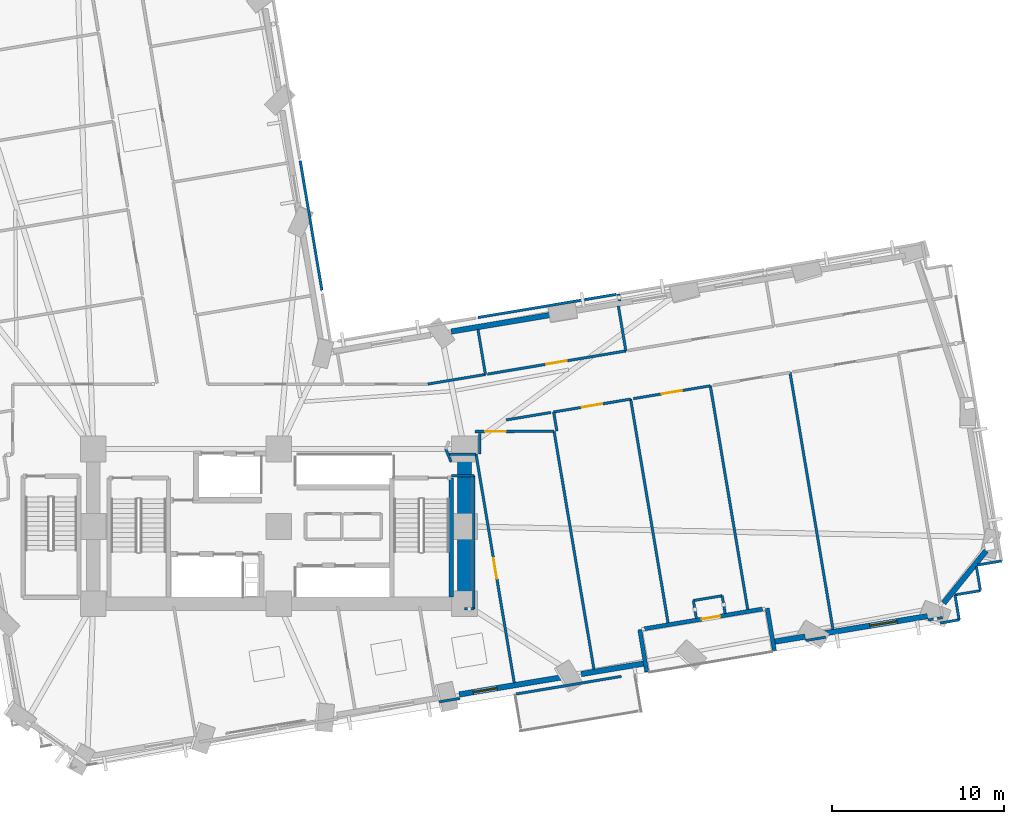
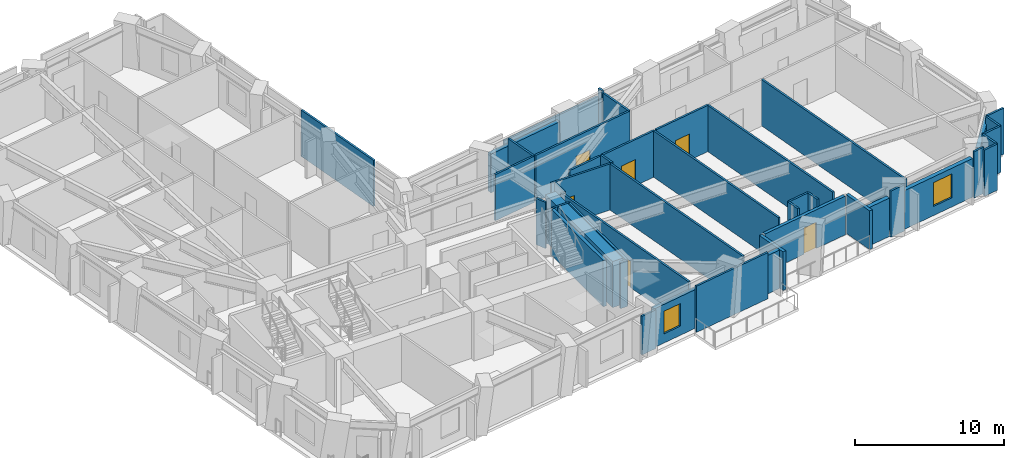
# One storey, part 10 of 16: 46 walls, 6 doors, 2 windows, 8 openings.
"""IFC4 building model written with IfcOpenShell, lengths in metres."""

import ifcopenshell
import ifcopenshell.guid

model = None  # the IFC model being written
_history = None  # IfcOwnerHistory: only IFC2X3 demands one
_inside = {}  # id of a spatial element -> (the spatial element, [elements in it])
_under = {}  # id of a project, library or spatial element -> (it, [spatial elements below it])
_declared = {}  # id of a project -> (the project, [libraries it declares])
_typed = {}  # id of a type object -> (the type object, [elements of that type])
_made_of = {}  # id of a material, layer set ... -> (it, [elements and type objects made of it])


def new_model(schema):
    """Start an empty IFC model of exactly this schema.

    Asked for "IFC4X3", IfcOpenShell would pick the latest addendum, in which some entities
    have other attributes; the version numbers below select the first issue.
    IFC2X3 requires an IfcOwnerHistory on every rooted entity: one is made here for all.
    """
    global model, _history
    if schema == "IFC4X3":
        model = ifcopenshell.file(schema_version=(4, 3, 0, 0))
    else:
        model = ifcopenshell.file(schema=schema)
    _inside.clear()
    _under.clear()
    _declared.clear()
    _typed.clear()
    _made_of.clear()
    _history = None
    if model.schema == "IFC2X3":
        org = make("IfcOrganization", Name="unknown")
        user = make(
            "IfcPersonAndOrganization",
            ThePerson=make("IfcPerson", FamilyName="unknown"),
            TheOrganization=org,
        )
        app = make(
            "IfcApplication",
            ApplicationDeveloper=org,
            Version="unknown",
            ApplicationFullName="unknown",
            ApplicationIdentifier="unknown",
        )
        _history = make(
            "IfcOwnerHistory",
            OwningUser=user,
            OwningApplication=app,
            ChangeAction="ADDED",
            CreationDate=0,
        )
    return model


def make(cls, **values):
    """One entity of the class cls with the attributes given. An attribute that is None is left unset."""
    return model.create_entity(
        cls, **{name: value for name, value in values.items() if value is not None}
    )


def rooted(cls, **values):
    """An entity with a GlobalId (a new one), such as an element, a storey or a relation."""
    return make(cls, GlobalId=ifcopenshell.guid.new(), OwnerHistory=_history, **values)


def si_unit(unit_type, name, prefix=None):
    """IfcSIUnit, for example si_unit("LENGTHUNIT", "METRE", prefix="MILLI")."""
    return make("IfcSIUnit", UnitType=unit_type, Prefix=prefix, Name=name)


def assignment(units):
    """IfcUnitAssignment: the units of a project."""
    return None if units is None else make("IfcUnitAssignment", Units=units)


def point(xyz):
    """IfcCartesianPoint."""
    return None if xyz is None else make("IfcCartesianPoint", Coordinates=xyz)


def direction(xyz):
    """IfcDirection."""
    return None if xyz is None else make("IfcDirection", DirectionRatios=xyz)


def frame(location, z_axis=None, x_axis=None):
    """IfcAxis2Placement3D, a coordinate frame: its origin and axes. An axis left out is left unset."""
    return make(
        "IfcAxis2Placement3D",
        Location=point(location),
        Axis=direction(z_axis),
        RefDirection=direction(x_axis),
    )


def frame_2d(location, x_axis=None):
    """IfcAxis2Placement2D, a coordinate frame in the plane: its origin and x axis."""
    return make(
        "IfcAxis2Placement2D", Location=point(location), RefDirection=direction(x_axis)
    )


def origin():
    """The frame at (0, 0, 0) with its axes left unset."""
    return frame((0.0, 0.0, 0.0))


def place(relative_to, where):
    """IfcLocalPlacement: puts the frame where relative to a parent placement (None: the world)."""
    return make(
        "IfcLocalPlacement", PlacementRelTo=relative_to, RelativePlacement=where
    )


def context(
    kind, dimensions, precision=None, world=None, true_north=None, identifier=None
):
    """IfcGeometricRepresentationContext, for example the 3D "Model" context."""
    return make(
        "IfcGeometricRepresentationContext",
        ContextIdentifier=identifier,
        ContextType=kind,
        CoordinateSpaceDimension=dimensions,
        Precision=precision,
        WorldCoordinateSystem=world,
        TrueNorth=true_north,
    )


def subcontext(parent, identifier, kind, view, scale=None):
    """IfcGeometricRepresentationSubContext, for example "Body" below "Model"."""
    return make(
        "IfcGeometricRepresentationSubContext",
        ContextIdentifier=identifier,
        ContextType=kind,
        ParentContext=parent,
        TargetScale=scale,
        TargetView=view,
    )


def project(units=None, contexts=None):
    """IfcProject with its units and contexts."""
    return rooted(
        "IfcProject",
        Name="project",
        RepresentationContexts=contexts,
        UnitsInContext=assignment(units),
    )


def spatial(cls, under=None, at=None, **own):
    """A site, building, storey or space (cls), placed at a placement, below another one or the project."""
    s = rooted(cls, ObjectPlacement=at, **own)
    if under is not None:
        _under.setdefault(under.id(), (under, []))[1].append(s)
    return s


def profile(cls, at=None, kind="AREA", **sizes):
    """A parametric profile (cls). Its sizes go by their IFC names, for example OverallWidth=200.0."""
    return make(cls, ProfileType=kind, Position=at, **sizes)


def rectangle(**sizes):
    """IfcRectangleProfileDef."""
    return profile("IfcRectangleProfileDef", **sizes)


def extrude(swept, where, along, depth):
    """IfcExtrudedAreaSolid: the profile swept, set in the frame where, extruded along a direction by depth."""
    return make(
        "IfcExtrudedAreaSolid",
        SweptArea=swept,
        Position=where,
        ExtrudedDirection=direction(along),
        Depth=depth,
    )


def shape(context_of_items, identifier, shape_type, items):
    """IfcShapeRepresentation: the items that make up one representation, for example the "Body"."""
    return make(
        "IfcShapeRepresentation",
        ContextOfItems=context_of_items,
        RepresentationIdentifier=identifier,
        RepresentationType=shape_type,
        Items=items,
    )


def material(Name=None, Category=None):
    """IfcMaterial."""
    return make("IfcMaterial", Name=Name, Category=Category)


def layer(
    of_material, thickness, ventilated=None, Name=None, Category=None, Priority=None
):
    """IfcMaterialLayer: one layer of a wall or slab, of a material (None: an air gap)."""
    return make(
        "IfcMaterialLayer",
        Material=of_material,
        LayerThickness=thickness,
        IsVentilated=ventilated,
        Name=Name,
        Category=Category,
        Priority=Priority,
    )


def layer_set(layers, Name=None):
    """IfcMaterialLayerSet."""
    return make("IfcMaterialLayerSet", MaterialLayers=layers, LayerSetName=Name)


def made_of(thing, what):
    """Note that an element or type object is made of a material, layer set ...; save() writes the relation."""
    if what is not None:
        _made_of.setdefault(what.id(), (what, []))[1].append(thing)
    return thing


def type_object(cls, material=None, **own):
    """A type object (cls), such as IfcWallType, which elements share."""
    return made_of(rooted(cls, **own), material)


def element(
    cls,
    number,
    at=None,
    inside=None,
    cuts=None,
    type_object=None,
    material=None,
    context=None,
    identifier="Body",
    shape_type=None,
    held_by="IfcProductDefinitionShape",
    body=None,
    shapes=None,
    **own,
):
    """One element of the class cls, such as IfcWall. Its Tag is "e" and its number.

    at: its placement. inside: the storey or other place that contains it. cuts: it is an
    opening in that element (IfcRelVoidsElement). A single representation is given by context,
    identifier, shape_type and body (its items); several are given by shapes. held_by: the class
    of the entity that holds the representations. save() writes the other relations.
    """
    e = rooted(cls, Tag="e%d" % number, ObjectPlacement=at, **own)
    if body is not None:
        shapes = [shape(context, identifier, shape_type, body)]
    if shapes is not None:
        e.Representation = make(held_by, Representations=shapes)
    if inside is not None:
        _inside.setdefault(inside.id(), (inside, []))[1].append(e)
    if cuts is not None:
        rooted(
            "IfcRelVoidsElement", RelatingBuildingElement=cuts, RelatedOpeningElement=e
        )
    if type_object is not None:
        _typed.setdefault(type_object.id(), (type_object, []))[1].append(e)
    return made_of(e, material)


def fill(opening, filler):
    """IfcRelFillsElement: the door or window that sits in an opening."""
    return rooted(
        "IfcRelFillsElement",
        RelatingOpeningElement=opening,
        RelatedBuildingElement=filler,
    )


def aggregate(whole, parts):
    """IfcRelAggregates: a whole, such as a stair, and the parts it consists of."""
    return rooted("IfcRelAggregates", RelatingObject=whole, RelatedObjects=parts)


def save(model, path):
    """Write the relations noted so far, then the file.

    IfcRelAggregates (storeys below a building ...), IfcRelContainedInSpatialStructure (elements
    in a storey), IfcRelDefinesByType, IfcRelAssociatesMaterial and IfcRelDeclares: one each for
    every whole, place, type object, material and project.
    """
    for whole, parts in _under.values():
        aggregate(whole, parts)
    for where, things in _inside.values():
        rooted(
            "IfcRelContainedInSpatialStructure",
            RelatedElements=things,
            RelatingStructure=where,
        )
    for kind, things in _typed.values():
        rooted("IfcRelDefinesByType", RelatedObjects=things, RelatingType=kind)
    for what, things in _made_of.values():
        rooted("IfcRelAssociatesMaterial", RelatedObjects=things, RelatingMaterial=what)
    for by, libraries in _declared.values():
        rooted("IfcRelDeclares", RelatingContext=by, RelatedDefinitions=libraries)
    model.write(path)


model = new_model("IFC4")

# Units and contexts
model_context = context("Model", 3, precision=1e-05, world=origin(), true_north=direction((0.0, 1.0)))
body_context = subcontext(model_context, "Body", "Model", "MODEL_VIEW")
ifc_project = project(units=[si_unit("LENGTHUNIT", "METRE"), si_unit("AREAUNIT", "SQUARE_METRE"), si_unit("VOLUMEUNIT", "CUBIC_METRE"), si_unit("PLANEANGLEUNIT", "RADIAN"), si_unit("MASSUNIT", "GRAM", prefix="KILO")], contexts=[model_context])

# Site, building, storey
site_placement = place(None, origin())
site = spatial("IfcSite", under=ifc_project, at=site_placement, CompositionType="ELEMENT")
building_placement = place(site_placement, origin())
building = spatial("IfcBuilding", under=site, at=building_placement, Name="Gaonmaruhae Medical Tower", CompositionType="ELEMENT")
storey_placement = place(building_placement, frame((0.0, 0.0, 63.0)))
storey = spatial("IfcBuildingStorey", under=building, at=storey_placement, Name="L14", CompositionType="ELEMENT", Elevation=63.0)

# Wall
ifc_material_1 = material(Name="Concrete C60/75", Category="concrete")
ifc_layer_1 = layer(ifc_material_1, 0.800048828125)
ifc_layer_set_1 = layer_set([ifc_layer_1], Name="Concrete C60/75")
wall_type_1 = type_object("IfcWallType", Name="CW-800 Lower Core Shear Wall", PredefinedType="SHEAR", material=ifc_layer_set_1)
wall_1_placement = place(storey_placement, frame((35.60009765625, 7.800048828125, 0.0), z_axis=(0.0, 0.0, 1.0), x_axis=(0.0, 1.0, 0.0)))
element("IfcWall", 1, at=wall_1_placement, inside=storey, type_object=wall_type_1, Name="L14 Core Shear Wall CSW-E1", PredefinedType="SHEAR", context=body_context, shape_type="SweptSolid", body=[
    extrude(rectangle(XDim=9.0, YDim=0.800048828125, at=frame_2d((4.5, 0.0))), origin(), (0.0, 0.0, 1.0), 3.780029296875),
])

# Wall, opening, door
ifc_material_2 = material(Name="Precast concrete C45/55", Category="concrete")
ifc_layer_2 = layer(ifc_material_2, 0.239990234375)
ifc_layer_set_2 = layer_set([ifc_layer_2], Name="Precast concrete C45/55")
wall_type_2 = type_object("IfcWallType", Name="EW-240 Ribbon & Shelter Insulated Precast Wall", PredefinedType="SOLIDWALL", material=ifc_layer_set_2)
wall_2_placement = place(storey_placement, frame((52.9375, 7.494384765625, 0.0), z_axis=(0.0, 0.0, 1.0), x_axis=(-0.986280873968, -0.165075854213, 0.0)))
wall_2 = element("IfcWall", 2, at=wall_2_placement, inside=storey, type_object=wall_type_2, Name="L14 Recessed Terrace Enclosure Wall TERB", PredefinedType="SOLIDWALL", context=body_context, shape_type="SweptSolid", body=[
    extrude(rectangle(XDim=6.9599609375, YDim=0.239990234375, at=frame_2d((3.47998046875, 0.0))), origin(), (0.0, 0.0, 1.0), 3.1650390625),
])
opening_1_placement = place(wall_2_placement, frame((2.485107421875, 0.0, 0.0)))
opening_1 = element("IfcOpeningElement", 3, at=opening_1_placement, cuts=wall_2, Name="Opening TD-01", PredefinedType="OPENING", context=body_context, shape_type="SweptSolid", body=[
    extrude(rectangle(XDim=1.10009765625, YDim=2.14990234375, at=frame_2d((0.550048828125, 1.074951171875))), frame((0.0, 0.1298828125, 0.0), z_axis=(0.0, -1.0, 0.0), x_axis=(1.0, 0.0, 0.0)), (0.0, 0.0, 1.0), 0.260009765625),
])
ifc_material_3 = material(Name="Anodised aluminium and toughened safety glass", Category="aluminium")
door_type_1 = type_object("IfcDoorType", Name="TD-01 Terrace & Sky Garden Glazed Door 1100x2150", OperationType="NOTDEFINED", PredefinedType="DOOR", material=ifc_material_3)
door_1_placement = place(opening_1_placement, origin())
door_1 = element("IfcDoor", 4, at=door_1_placement, inside=storey, type_object=door_type_1, Name="L14 Outdoor Terrace Access Door SLB-L14-TER", OperationType="SINGLE_SWING_RIGHT", OverallHeight=2.14990234375, OverallWidth=1.10009765625, PredefinedType="DOOR", context=body_context, shape_type="SweptSolid", body=[
    extrude(rectangle(XDim=1.10009765625, YDim=2.14990234375, at=frame_2d((0.550048828125, 1.074951171875))), frame((0.0, 0.02490234375, 0.0), z_axis=(0.0, -1.0, 0.0), x_axis=(1.0, 0.0, 0.0)), (0.0, 0.0, 1.0), 0.050048828125),
])
fill(opening_1, door_1)

# Walls
for number, where, z_axis, x_axis, name in (
    (5, (45.796875, 6.29931640625, 0.0), (0.0, 0.0, 1.0), (0.165032373682, -0.986288150409, 0.0), "L14 Recessed Terrace Enclosure Wall TERL"),
    (6, (53.626220703125, 5.07470703125, 0.0), (0.0, 0.0, 1.0), (-0.165032373682, 0.986288150409, 0.0), "L14 Recessed Terrace Enclosure Wall TERR"),
):
    element("IfcWall", number, at=place(storey_placement, frame(where, z_axis=z_axis, x_axis=x_axis)), inside=storey, type_object=wall_type_2, Name=name, PredefinedType="SOLIDWALL", context=body_context, shape_type="SweptSolid", body=[
        extrude(rectangle(XDim=2.5, YDim=0.239990234375, at=frame_2d((1.25, 0.0))), origin(), (0.0, 0.0, 1.0), 3.1650390625),
    ])

# Wall, opening, window
ifc_layer_3 = layer(ifc_material_2, 0.320068359375)
ifc_layer_set_3 = layer_set([ifc_layer_3], Name="Precast concrete C45/55")
wall_type_3 = type_object("IfcWallType", Name="EW-320 Lower Precast Masonry-Frame Facade Wall", PredefinedType="SOLIDWALL", material=ifc_layer_set_3)
wall_3_placement = place(storey_placement, frame((41.1953125, 3.51171875, 0.0), z_axis=(0.0, 0.0, 1.0), x_axis=(-0.986281247381, -0.165073623166, 0.0)))
wall_3 = element("IfcWall", 7, at=wall_3_placement, inside=storey, type_object=wall_type_3, Name="L14 Precast Masonry-Frame Wall S04-S05", PredefinedType="SOLIDWALL", context=body_context, shape_type="SweptSolid", body=[
    extrude(rectangle(XDim=5.9853515625, YDim=0.320068359375, at=frame_2d((2.99267578125, 0.0))), origin(), (0.0, 0.0, 1.0), 3.1650390625),
])
opening_2_placement = place(wall_3_placement, frame((3.75390625, 0.0, 0.75)))
opening_2 = element("IfcOpeningElement", 8, at=opening_2_placement, cuts=wall_3, Name="Opening WN-03", PredefinedType="OPENING", context=body_context, shape_type="SweptSolid", body=[
    extrude(rectangle(XDim=1.39990234375, YDim=1.85009765625, at=frame_2d((0.699951171875, 0.925048828125))), frame((0.0, 0.169921875, 0.0), z_axis=(0.0, -1.0, 0.0), x_axis=(1.0, 0.0, 0.0)), (0.0, 0.0, 1.0), 0.340087890625),
])
ifc_material_4 = material(Name="Anodised aluminium and Low-E double glazing", Category="aluminium")
window_type_1 = type_object("IfcWindowType", Name="WN-03 Isolation Ward Punched Window 1400x1850", PartitioningType="SINGLE_PANEL", PredefinedType="WINDOW", material=ifc_material_4)
window_1_placement = place(opening_2_placement, origin())
window_1 = element("IfcWindow", 9, at=window_1_placement, inside=storey, type_object=window_type_1, Name="L14 Modular Facade Window S04", OverallHeight=1.85009765625, OverallWidth=1.39990234375, PartitioningType="SINGLE_PANEL", PredefinedType="WINDOW", context=body_context, shape_type="SweptSolid", body=[
    extrude(rectangle(XDim=1.39990234375, YDim=1.85009765625, at=frame_2d((0.699951171875, 0.925048828125))), frame((0.0, 0.030029296875, 0.0), z_axis=(0.0, -1.0, 0.0), x_axis=(1.0, 0.0, 0.0)), (0.0, 0.0, 1.0), 0.06005859375),
])
fill(opening_2, window_1)

# Walls
wall_4_placement = place(storey_placement, frame((46.10546875, 4.333251953125, 0.0), z_axis=(0.0, 0.0, 1.0), x_axis=(-0.986288568415, -0.165029875517, 0.0)))
element("IfcWall", 10, at=wall_4_placement, inside=storey, type_object=wall_type_3, Name="L14 Precast Masonry-Frame Wall S05-S06", PredefinedType="SOLIDWALL", context=body_context, shape_type="SweptSolid", body=[
    extrude(rectangle(XDim=3.764892578125, YDim=0.320068359375, at=frame_2d((1.88232421875, 0.0))), origin(), (0.0, 0.0, 1.0), 3.14501953125),
])
wall_5_placement = place(storey_placement, frame((55.416015625, 5.891357421875, 0.0), z_axis=(0.0, 0.0, 1.0), x_axis=(-0.98628490639, -0.165051759845, 0.0)))
element("IfcWall", 11, at=wall_5_placement, inside=storey, type_object=wall_type_3, Name="L14 Precast Masonry-Frame Wall S06-S07", PredefinedType="SOLIDWALL", context=body_context, shape_type="SweptSolid", body=[
    extrude(rectangle(XDim=1.880126953125, YDim=0.320068359375, at=frame_2d((0.93994140625, 0.0))), origin(), (0.0, 0.0, 1.0), 3.14501953125),
])

# Wall, opening, window
wall_6_placement = place(storey_placement, frame((62.535888671875, 7.082763671875, 0.0), z_axis=(0.0, 0.0, 1.0), x_axis=(-0.986287831456, -0.165034279837, 0.0)))
wall_6 = element("IfcWall", 12, at=wall_6_placement, inside=storey, type_object=wall_type_3, Name="L14 Precast Masonry-Frame Wall S07-S08", PredefinedType="SOLIDWALL", context=body_context, shape_type="SweptSolid", body=[
    extrude(rectangle(XDim=6.04443359375, YDim=0.320068359375, at=frame_2d((3.022216796875, 0.0))), origin(), (0.0, 0.0, 1.0), 3.1650390625),
])
opening_3_placement = place(wall_6_placement, frame((1.798828125, 0.0, 0.75)))
opening_3 = element("IfcOpeningElement", 13, at=opening_3_placement, cuts=wall_6, Name="Opening WN-01", PredefinedType="OPENING", context=body_context, shape_type="SweptSolid", body=[
    extrude(rectangle(XDim=1.60009765625, YDim=1.949951171875, at=frame_2d((0.800048828125, 0.97509765625))), frame((0.0, 0.169921875, 0.0), z_axis=(0.0, -1.0, 0.0), x_axis=(1.0, 0.0, 0.0)), (0.0, 0.0, 1.0), 0.340087890625),
])
window_type_2 = type_object("IfcWindowType", Name="WN-01 Ward Punched Acoustic Window 1600x1950", PartitioningType="SINGLE_PANEL", PredefinedType="WINDOW", material=ifc_material_4)
window_2_placement = place(opening_3_placement, origin())
window_2 = element("IfcWindow", 14, at=window_2_placement, inside=storey, type_object=window_type_2, Name="L14 Modular Facade Window S07", OverallHeight=1.949951171875, OverallWidth=1.60009765625, PartitioningType="SINGLE_PANEL", PredefinedType="WINDOW", context=body_context, shape_type="SweptSolid", body=[
    extrude(rectangle(XDim=1.60009765625, YDim=1.949951171875, at=frame_2d((0.800048828125, 0.97509765625))), frame((0.0, 0.030029296875, 0.0), z_axis=(0.0, -1.0, 0.0), x_axis=(1.0, 0.0, 0.0)), (0.0, 0.0, 1.0), 0.06005859375),
])
fill(opening_3, window_2)

# Walls
wall_7_placement = place(storey_placement, frame((65.94921875, 10.88525390625, 0.0), z_axis=(0.0, 0.0, 1.0), x_axis=(-0.630047222242, -0.776556821968, 0.0)))
element("IfcWall", 15, at=wall_7_placement, inside=storey, type_object=wall_type_3, Name="L14 Precast Masonry-Frame Wall S08-E01", PredefinedType="SOLIDWALL", context=body_context, shape_type="SweptSolid", body=[
    extrude(rectangle(XDim=3.927734375, YDim=0.320068359375, at=frame_2d((1.9638671875, 0.0))), origin(), (0.0, 0.0, 1.0), 3.1650390625),
])
wall_8_placement = place(storey_placement, frame((34.827880859375, 23.63671875, 0.0), z_axis=(0.0, 0.0, 1.0), x_axis=(0.986282386518, 0.165066816911, 0.0)))
element("IfcWall", 16, at=wall_8_placement, inside=storey, type_object=wall_type_3, Name="L14 Precast Masonry-Frame Wall EN03-EN04", PredefinedType="SOLIDWALL", context=body_context, shape_type="SweptSolid", body=[
    extrude(rectangle(XDim=5.987060546875, YDim=0.320068359375, at=frame_2d((2.99365234375, 0.0))), origin(), (0.0, 0.0, 1.0), 3.1650390625),
])
ifc_material_5 = material(Name="Gypsum board partition", Category="gypsum")
ifc_layer_4 = layer(ifc_material_5, 0.14990234375)
ifc_layer_set_4 = layer_set([ifc_layer_4], Name="Gypsum board partition")
wall_type_4 = type_object("IfcWallType", Name="PW-150 Rated Clinical Corridor Partition", PredefinedType="PARTITIONING", material=ifc_layer_set_4)
wall_9_placement = place(storey_placement, frame((36.14990234375, 15.260009765625, 0.0), z_axis=(0.0, 0.0, 1.0), x_axis=(-1.0, 0.0, 0.0)))
element("IfcWall", 17, at=wall_9_placement, inside=storey, type_object=wall_type_4, Name="L14 Interior Partition L14-TRM06-15", PredefinedType="PARTITIONING", context=body_context, shape_type="SweptSolid", body=[
    extrude(rectangle(XDim=1.2998046875, YDim=0.14990234375, at=frame_2d((0.64990234375, 0.0))), origin(), (0.0, 0.0, 1.0), 3.780029296875),
])
wall_10_placement = place(storey_placement, frame((34.822021484375, 16.050048828125, 0.0), z_axis=(0.0, 0.0, 1.0), x_axis=(-0.382050639738, 0.924141389981, 0.0)))
element("IfcWall", 18, at=wall_10_placement, inside=storey, type_object=wall_type_4, Name="L14 Interior Partition L14-TRM06-16", PredefinedType="PARTITIONING", context=body_context, shape_type="SweptSolid", body=[
    extrude(rectangle(XDim=0.8115234375, YDim=0.14990234375, at=frame_2d((0.40576171875, 0.0))), origin(), (0.0, 0.0, 1.0), 3.780029296875),
])
wall_11_placement = place(storey_placement, frame((34.699951171875, 16.5, 0.0), z_axis=(0.0, 0.0, 1.0), x_axis=(1.0, 0.0, 0.0)))
element("IfcWall", 19, at=wall_11_placement, inside=storey, type_object=wall_type_4, Name="L14 Interior Partition L14-TRM06-18", PredefinedType="PARTITIONING", context=body_context, shape_type="SweptSolid", body=[
    extrude(rectangle(XDim=1.572021484375, YDim=0.14990234375, at=frame_2d((0.7861328125, 0.0))), origin(), (0.0, 0.0, 1.0), 2.864990234375),
])

# Wall, opening, door
wall_12_placement = place(storey_placement, frame((36.27197265625, 16.5, 0.0), z_axis=(0.0, 0.0, 1.0), x_axis=(0.165041770244, -0.986286578067, 0.0)))
wall_12 = element("IfcWall", 20, at=wall_12_placement, inside=storey, type_object=wall_type_4, Name="L14 Interior Partition L14-TRM06-19", PredefinedType="PARTITIONING", context=body_context, shape_type="SweptSolid", body=[
    extrude(rectangle(XDim=13.488037109375, YDim=0.14990234375, at=frame_2d((6.744140625, 0.0))), origin(), (0.0, 0.0, 1.0), 3.780029296875),
])
opening_4_placement = place(wall_12_placement, frame((6.14404296875, 0.0, 0.0)))
opening_4 = element("IfcOpeningElement", 21, at=opening_4_placement, cuts=wall_12, Name="Opening CD-02", PredefinedType="OPENING", context=body_context, shape_type="SweptSolid", body=[
    extrude(rectangle(XDim=1.199951171875, YDim=2.14990234375, at=frame_2d((0.60009765625, 1.074951171875))), frame((0.0, 0.0849609375, 0.0), z_axis=(0.0, -1.0, 0.0), x_axis=(1.0, 0.0, 0.0)), (0.0, 0.0, 1.0), 0.169921875),
])
ifc_material_6 = material(Name="Antimicrobial laminate timber fire door", Category="wood")
door_type_2 = type_object("IfcDoorType", Name="CD-02 Clinical Treatment & Procedure Door 1200x2150", OperationType="NOTDEFINED", PredefinedType="DOOR", material=ifc_material_6)
door_2_placement = place(opening_4_placement, origin())
door_2 = element("IfcDoor", 22, at=door_2_placement, inside=storey, type_object=door_type_2, Name="L14 Clinical Procedure Examination Room Sliding Door", OperationType="SLIDING_TO_LEFT", OverallHeight=2.14990234375, OverallWidth=1.199951171875, PredefinedType="DOOR", context=body_context, shape_type="SweptSolid", body=[
    extrude(rectangle(XDim=1.199951171875, YDim=2.14990234375, at=frame_2d((0.60009765625, 1.074951171875))), frame((0.0, 0.02490234375, 0.0), z_axis=(0.0, -1.0, 0.0), x_axis=(1.0, 0.0, 0.0)), (0.0, 0.0, 1.0), 0.050048828125),
])
fill(opening_4, door_2)

# Walls
wall_13_placement = place(storey_placement, frame((35.330078125, 2.297119140625, 0.0), z_axis=(0.0, 0.0, 1.0), x_axis=(-0.986323210035, -0.16482270883, 0.0)))
element("IfcWall", 23, at=wall_13_placement, inside=storey, type_object=wall_type_4, Name="L14 Interior Partition L14-TRM06-20", PredefinedType="PARTITIONING", context=body_context, shape_type="SweptSolid", body=[
    extrude(rectangle(XDim=1.214599609375, YDim=0.14990234375, at=frame_2d((0.607421875, 0.0))), origin(), (0.0, 0.0, 1.0), 3.1650390625),
])
wall_14_placement = place(storey_placement, frame((35.60009765625, 7.5, 0.0), z_axis=(0.0, 0.0, 1.0), x_axis=(1.0, 0.0, 0.0)))
element("IfcWall", 24, at=wall_14_placement, inside=storey, type_object=wall_type_4, Name="L14 Interior Partition L14-TRM06-21", PredefinedType="PARTITIONING", context=body_context, shape_type="SweptSolid", body=[
    extrude(rectangle(XDim=0.5498046875, YDim=0.14990234375, at=frame_2d((0.27490234375, 0.0))), origin(), (0.0, 0.0, 1.0), 3.780029296875),
])
wall_15_placement = place(storey_placement, frame((36.14990234375, 7.5, 0.0), z_axis=(0.0, 0.0, 1.0), x_axis=(0.0, 1.0, 0.0)))
element("IfcWall", 25, at=wall_15_placement, inside=storey, type_object=wall_type_4, Name="L14 Interior Partition L14-TRM06-22", PredefinedType="PARTITIONING", context=body_context, shape_type="SweptSolid", body=[
    extrude(rectangle(XDim=7.760009765625, YDim=0.14990234375, at=frame_2d((3.8798828125, 0.0))), origin(), (0.0, 0.0, 1.0), 3.780029296875),
])

# Wall, opening, door
wall_16_placement = place(storey_placement, frame((36.212890625, 17.820068359375, 0.0), z_axis=(0.0, 0.0, 1.0), x_axis=(0.999998072769, 0.001963277549, 0.0)))
wall_16 = element("IfcWall", 26, at=wall_16_placement, inside=storey, type_object=wall_type_4, Name="L14 Interior Partition L14-SUP07-23", PredefinedType="PARTITIONING", context=body_context, shape_type="SweptSolid", body=[
    extrude(rectangle(XDim=4.60107421875, YDim=0.14990234375, at=frame_2d((2.300537109375, 0.0))), origin(), (0.0, 0.0, 1.0), 3.780029296875),
])
opening_5_placement = place(wall_16_placement, frame((0.592529296875, 0.0, 0.0)))
opening_5 = element("IfcOpeningElement", 27, at=opening_5_placement, cuts=wall_16, Name="Opening CD-02", PredefinedType="OPENING", context=body_context, shape_type="SweptSolid", body=[
    extrude(rectangle(XDim=1.199951171875, YDim=2.14990234375, at=frame_2d((0.60009765625, 1.074951171875))), frame((0.0, 0.0849609375, 0.0), z_axis=(0.0, -1.0, 0.0), x_axis=(1.0, 0.0, 0.0)), (0.0, 0.0, 1.0), 0.169921875),
])
door_3_placement = place(opening_5_placement, origin())
door_3 = element("IfcDoor", 28, at=door_3_placement, inside=storey, type_object=door_type_2, Name="L14 Clinical Biomedical Charting Office Door", OperationType="SINGLE_SWING_RIGHT", OverallHeight=2.14990234375, OverallWidth=1.199951171875, PredefinedType="DOOR", context=body_context, shape_type="SweptSolid", body=[
    extrude(rectangle(XDim=1.199951171875, YDim=2.14990234375, at=frame_2d((0.60009765625, 1.074951171875))), frame((0.0, 0.02490234375, 0.0), z_axis=(0.0, -1.0, 0.0), x_axis=(1.0, 0.0, 0.0)), (0.0, 0.0, 1.0), 0.050048828125),
])
fill(opening_5, door_3)

# Walls
wall_17_placement = place(storey_placement, frame((40.81396484375, 17.8291015625, 0.0), z_axis=(0.0, 0.0, 1.0), x_axis=(0.165072459157, -0.9862814422, 0.0)))
element("IfcWall", 29, at=wall_17_placement, inside=storey, type_object=wall_type_4, Name="L14 Interior Partition L14-SUP07-24", PredefinedType="PARTITIONING", context=body_context, shape_type="SweptSolid", body=[
    extrude(rectangle(XDim=14.048828125, YDim=0.14990234375, at=frame_2d((7.0244140625, 0.0))), origin(), (0.0, 0.0, 1.0), 3.780029296875),
])
wall_18_placement = place(storey_placement, frame((36.5, 16.5, 0.0), z_axis=(0.0, 0.0, 1.0), x_axis=(0.0, 1.0, 0.0)))
element("IfcWall", 30, at=wall_18_placement, inside=storey, type_object=wall_type_4, Name="L14 Interior Partition L14-SUP07-26", PredefinedType="PARTITIONING", context=body_context, shape_type="SweptSolid", body=[
    extrude(rectangle(XDim=1.199951171875, YDim=0.14990234375, at=frame_2d((0.60009765625, 0.0))), origin(), (0.0, 0.0, 1.0), 3.780029296875),
])
wall_19_placement = place(storey_placement, frame((40.971923828125, 17.85498046875, 0.0), z_axis=(0.0, 0.0, 1.0), x_axis=(-0.164682702184, 0.986346596081, 0.0)))
element("IfcWall", 31, at=wall_19_placement, inside=storey, type_object=wall_type_4, Name="L14 Interior Partition L14-SUP08-27", PredefinedType="PARTITIONING", context=body_context, shape_type="SweptSolid", body=[
    extrude(rectangle(XDim=1.1162109375, YDim=0.14990234375, at=frame_2d((0.55810546875, 0.0))), origin(), (0.0, 0.0, 1.0), 3.780029296875),
])

# Wall, opening, door
wall_20_placement = place(storey_placement, frame((40.7880859375, 18.9560546875, 0.0), z_axis=(0.0, 0.0, 1.0), x_axis=(0.98626281798, 0.165183697352, 0.0)))
wall_20 = element("IfcWall", 32, at=wall_20_placement, inside=storey, type_object=wall_type_4, Name="L14 Interior Partition L14-SUP08-28", PredefinedType="PARTITIONING", context=body_context, shape_type="SweptSolid", body=[
    extrude(rectangle(XDim=4.540283203125, YDim=0.14990234375, at=frame_2d((2.27001953125, 0.0))), origin(), (0.0, 0.0, 1.0), 3.780029296875),
])
opening_6_placement = place(wall_20_placement, frame((1.670166015625, 0.0, 0.0)))
opening_6 = element("IfcOpeningElement", 33, at=opening_6_placement, cuts=wall_20, Name="Opening CD-02", PredefinedType="OPENING", context=body_context, shape_type="SweptSolid", body=[
    extrude(rectangle(XDim=1.199951171875, YDim=2.14990234375, at=frame_2d((0.60009765625, 1.074951171875))), frame((0.0, 0.0849609375, 0.0), z_axis=(0.0, -1.0, 0.0), x_axis=(1.0, 0.0, 0.0)), (0.0, 0.0, 1.0), 0.169921875),
])
door_4_placement = place(opening_6_placement, origin())
door_4 = element("IfcDoor", 34, at=door_4_placement, inside=storey, type_object=door_type_2, Name="L14 Clinical Biomedical Charting Office Door", OperationType="SINGLE_SWING_LEFT", OverallHeight=2.14990234375, OverallWidth=1.199951171875, PredefinedType="DOOR", context=body_context, shape_type="SweptSolid", body=[
    extrude(rectangle(XDim=1.199951171875, YDim=2.14990234375, at=frame_2d((0.60009765625, 1.074951171875))), frame((0.0, 0.02490234375, 0.0), z_axis=(0.0, -1.0, 0.0), x_axis=(1.0, 0.0, 0.0)), (0.0, 0.0, 1.0), 0.050048828125),
])
fill(opening_6, door_4)

# Walls
for number, where, z_axis, x_axis, name in (
    (35, (45.26611328125, 19.7060546875, 0.0), (0.0, 0.0, 1.0), (0.165031074777, -0.98628836775, 0.0), "L14 Interior Partition L14-SUP08-29"),
    (36, (49.90087890625, 20.48095703125, 0.0), (0.0, 0.0, 1.0), (0.165049045859, -0.986285360563, 0.0), "L14 Interior Partition L14-SUP09-30"),
):
    element("IfcWall", number, at=place(storey_placement, frame(where, z_axis=z_axis, x_axis=x_axis)), inside=storey, type_object=wall_type_4, Name=name, PredefinedType="PARTITIONING", context=body_context, shape_type="SweptSolid", body=[
        extrude(rectangle(XDim=13.215087890625, YDim=0.14990234375, at=frame_2d((6.607421875, 0.0))), origin(), (0.0, 0.0, 1.0), 3.780029296875),
    ])
wall_21_placement = place(storey_placement, frame((50.76611328125, 7.22705078125, 0.0), z_axis=(0.0, 0.0, 1.0), x_axis=(-0.164924100448, 0.986306261306, 0.0)))
element("IfcWall", 37, at=wall_21_placement, inside=storey, type_object=wall_type_4, Name="L14 Interior Partition L14-SUP09-31", PredefinedType="PARTITIONING", context=body_context, shape_type="SweptSolid", body=[
    extrude(rectangle(XDim=1.055419921875, YDim=0.14990234375, at=frame_2d((0.52783203125, 0.0))), origin(), (0.0, 0.0, 1.0), 3.780029296875),
])
wall_22_placement = place(storey_placement, frame((50.592041015625, 8.26806640625, 0.0), z_axis=(0.0, 0.0, 1.0), x_axis=(-0.98623426922, -0.165354063201, 0.0)))
element("IfcWall", 38, at=wall_22_placement, inside=storey, type_object=wall_type_4, Name="L14 Interior Partition L14-SUP09-32", PredefinedType="PARTITIONING", context=body_context, shape_type="SweptSolid", body=[
    extrude(rectangle(XDim=1.699462890625, YDim=0.14990234375, at=frame_2d((0.849609375, 0.0))), origin(), (0.0, 0.0, 1.0), 3.780029296875),
])
wall_23_placement = place(storey_placement, frame((48.916015625, 7.987060546875, 0.0), z_axis=(0.0, 0.0, 1.0), x_axis=(0.165074740846, -0.986281060314, 0.0)))
element("IfcWall", 39, at=wall_23_placement, inside=storey, type_object=wall_type_4, Name="L14 Interior Partition L14-SUP09-33", PredefinedType="PARTITIONING", context=body_context, shape_type="SweptSolid", body=[
    extrude(rectangle(XDim=1.054443359375, YDim=0.14990234375, at=frame_2d((0.52734375, 0.0))), origin(), (0.0, 0.0, 1.0), 3.780029296875),
])

# Wall, opening, door
wall_24_placement = place(storey_placement, frame((45.424072265625, 19.73193359375, 0.0), z_axis=(0.0, 0.0, 1.0), x_axis=(0.986290516722, 0.165018231188, 0.0)))
wall_24 = element("IfcWall", 40, at=wall_24_placement, inside=storey, type_object=wall_type_4, Name="L14 Interior Partition L14-SUP09-34", PredefinedType="PARTITIONING", context=body_context, shape_type="SweptSolid", body=[
    extrude(rectangle(XDim=4.5390625, YDim=0.14990234375, at=frame_2d((2.26953125, 0.0))), origin(), (0.0, 0.0, 1.0), 3.780029296875),
])
opening_7_placement = place(wall_24_placement, frame((1.669677734375, 0.0, 0.0)))
opening_7 = element("IfcOpeningElement", 41, at=opening_7_placement, cuts=wall_24, Name="Opening CD-02", PredefinedType="OPENING", context=body_context, shape_type="SweptSolid", body=[
    extrude(rectangle(XDim=1.199951171875, YDim=2.14990234375, at=frame_2d((0.60009765625, 1.074951171875))), frame((0.0, 0.0849609375, 0.0), z_axis=(0.0, -1.0, 0.0), x_axis=(1.0, 0.0, 0.0)), (0.0, 0.0, 1.0), 0.169921875),
])
door_5_placement = place(opening_7_placement, origin())
door_5 = element("IfcDoor", 42, at=door_5_placement, inside=storey, type_object=door_type_2, Name="L14 Clinical Biomedical Charting Office Door", OperationType="SINGLE_SWING_LEFT", OverallHeight=2.14990234375, OverallWidth=1.199951171875, PredefinedType="DOOR", context=body_context, shape_type="SweptSolid", body=[
    extrude(rectangle(XDim=1.199951171875, YDim=2.14990234375, at=frame_2d((0.60009765625, 1.074951171875))), frame((0.0, 0.02490234375, 0.0), z_axis=(0.0, -1.0, 0.0), x_axis=(1.0, 0.0, 0.0)), (0.0, 0.0, 1.0), 0.050048828125),
])
fill(opening_7, door_5)

# Walls
wall_25_placement = place(storey_placement, frame((54.537109375, 21.257080078125, 0.0), z_axis=(0.0, 0.0, 1.0), x_axis=(0.16504639057, -0.986285804906, 0.0)))
element("IfcWall", 43, at=wall_25_placement, inside=storey, type_object=wall_type_4, Name="L14 Interior Partition L14-SUP10-36", PredefinedType="PARTITIONING", context=body_context, shape_type="SweptSolid", body=[
    extrude(rectangle(XDim=15.1650390625, YDim=0.14990234375, at=frame_2d((7.58251953125, 0.0))), origin(), (0.0, 0.0, 1.0), 3.780029296875),
])
wall_26_placement = place(storey_placement, frame((56.612060546875, 5.85791015625, 0.0), z_axis=(0.0, 0.0, 1.0), x_axis=(-0.986410781231, -0.164297810916, 0.0)))
element("IfcWall", 44, at=wall_26_placement, inside=storey, type_object=wall_type_4, Name="L14 Interior Partition L14-SUP10-37", PredefinedType="PARTITIONING", context=body_context, shape_type="SweptSolid", body=[
    extrude(rectangle(XDim=1.173828125, YDim=0.14990234375, at=frame_2d((0.5869140625, 0.0))), origin(), (0.0, 0.0, 1.0), 3.780029296875),
])
wall_27_placement = place(storey_placement, frame((63.412109375, 6.99609375, 0.0), z_axis=(0.0, 0.0, 1.0), x_axis=(-0.986308376539, -0.164911450083, 0.0)))
element("IfcWall", 45, at=wall_27_placement, inside=storey, type_object=wall_type_4, Name="L14 Interior Partition L14-SUP11-40", PredefinedType="PARTITIONING", context=body_context, shape_type="SweptSolid", body=[
    extrude(rectangle(XDim=0.849853515625, YDim=0.14990234375, at=frame_2d((0.4248046875, 0.0))), origin(), (0.0, 0.0, 1.0), 3.780029296875),
])
wall_28_placement = place(storey_placement, frame((36.382080078125, 23.760009765625, 0.0), z_axis=(0.0, 0.0, 1.0), x_axis=(0.164950635961, -0.986301823833, 0.0)))
element("IfcWall", 46, at=wall_28_placement, inside=storey, type_object=wall_type_4, Name="L14 Interior Partition L14-IE02-73", PredefinedType="PARTITIONING", context=body_context, shape_type="SweptSolid", body=[
    extrude(rectangle(XDim=2.6552734375, YDim=0.14990234375, at=frame_2d((1.32763671875, 0.0))), origin(), (0.0, 0.0, 1.0), 3.780029296875),
])
wall_29_placement = place(storey_placement, frame((36.820068359375, 21.14111328125, 0.0), z_axis=(0.0, 0.0, 1.0), x_axis=(-0.98629673406, -0.16498106674, 0.0)))
element("IfcWall", 47, at=wall_29_placement, inside=storey, type_object=wall_type_4, Name="L14 Interior Partition L14-IE02-74", PredefinedType="PARTITIONING", context=body_context, shape_type="SweptSolid", body=[
    extrude(rectangle(XDim=3.400634765625, YDim=0.14990234375, at=frame_2d((1.7001953125, 0.0))), origin(), (0.0, 0.0, 1.0), 3.780029296875),
])

# Wall, opening, door
wall_30_placement = place(storey_placement, frame((44.989990234375, 22.509033203125, 0.0), z_axis=(0.0, 0.0, 1.0), x_axis=(-0.986271610427, -0.165131191679, 0.0)))
wall_30 = element("IfcWall", 48, at=wall_30_placement, inside=storey, type_object=wall_type_4, Name="L14 Interior Partition L14-IE03-76", PredefinedType="PARTITIONING", context=body_context, shape_type="SweptSolid", body=[
    extrude(rectangle(XDim=8.1640625, YDim=0.14990234375, at=frame_2d((4.08203125, 0.0))), origin(), (0.0, 0.0, 1.0), 3.780029296875),
])
opening_8_placement = place(wall_30_placement, frame((3.48193359375, 0.0, 0.0)))
opening_8 = element("IfcOpeningElement", 49, at=opening_8_placement, cuts=wall_30, Name="Opening CD-02", PredefinedType="OPENING", context=body_context, shape_type="SweptSolid", body=[
    extrude(rectangle(XDim=1.199951171875, YDim=2.14990234375, at=frame_2d((0.60009765625, 1.074951171875))), frame((0.0, 0.0849609375, 0.0), z_axis=(0.0, -1.0, 0.0), x_axis=(1.0, 0.0, 0.0)), (0.0, 0.0, 1.0), 0.169921875),
])
door_6_placement = place(opening_8_placement, origin())
door_6 = element("IfcDoor", 50, at=door_6_placement, inside=storey, type_object=door_type_2, Name="L14 Clean Medication Preparation Room Door", OperationType="SINGLE_SWING_RIGHT", OverallHeight=2.14990234375, OverallWidth=1.199951171875, PredefinedType="DOOR", context=body_context, shape_type="SweptSolid", body=[
    extrude(rectangle(XDim=1.199951171875, YDim=2.14990234375, at=frame_2d((0.60009765625, 1.074951171875))), frame((0.0, 0.02490234375, 0.0), z_axis=(0.0, -1.0, 0.0), x_axis=(1.0, 0.0, 0.0)), (0.0, 0.0, 1.0), 0.050048828125),
])
fill(opening_8, door_6)

# Walls
wall_31_placement = place(storey_placement, frame((36.386962890625, 24.455078125, 0.0), z_axis=(0.0, 0.0, 1.0), x_axis=(0.986276480352, 0.165102102666, 0.0)))
element("IfcWall", 51, at=wall_31_placement, inside=storey, type_object=wall_type_4, Name="L14 Interior Partition L14-IE03-77", PredefinedType="PARTITIONING", context=body_context, shape_type="SweptSolid", body=[
    extrude(rectangle(XDim=8.1640625, YDim=0.14990234375, at=frame_2d((4.08203125, 0.0))), origin(), (0.0, 0.0, 1.0), 3.1650390625),
])
wall_32_placement = place(storey_placement, frame((44.552001953125, 25.126953125, 0.0), z_axis=(0.0, 0.0, 1.0), x_axis=(0.165010492381, -0.986291811486, 0.0)))
element("IfcWall", 52, at=wall_32_placement, inside=storey, type_object=wall_type_4, Name="L14 Interior Partition L14-IE03-78", PredefinedType="PARTITIONING", context=body_context, shape_type="SweptSolid", body=[
    extrude(rectangle(XDim=2.654296875, YDim=0.14990234375, at=frame_2d((1.3271484375, 0.0))), origin(), (0.0, 0.0, 1.0), 3.780029296875),
])
wall_33_placement = place(storey_placement, frame((44.626953125, 25.4130859375, 0.0), z_axis=(0.0, 0.0, 1.0), x_axis=(-0.165637087874, 0.986186774967, 0.0)))
element("IfcWall", 53, at=wall_33_placement, inside=storey, type_object=wall_type_4, Name="L14 Interior Partition L14-IE04-80", PredefinedType="PARTITIONING", context=body_context, shape_type="SweptSolid", body=[
    extrude(rectangle(XDim=0.415771484375, YDim=0.14990234375, at=frame_2d((0.2080078125, 0.0))), origin(), (0.0, 0.0, 1.0), 3.780029296875),
])
wall_34_placement = place(storey_placement, frame((26.049072265625, 33.569091796875, 0.0), z_axis=(0.0, 0.0, 1.0), x_axis=(0.165036777902, -0.986287413455, 0.0)))
element("IfcWall", 54, at=wall_34_placement, inside=storey, type_object=wall_type_4, Name="L14 Interior Partition L14-IN01-92", PredefinedType="PARTITIONING", context=body_context, shape_type="SweptSolid", body=[
    extrude(rectangle(XDim=7.634765625, YDim=0.14990234375, at=frame_2d((3.8173828125, 0.0))), origin(), (0.0, 0.0, 1.0), 3.780029296875),
])
wall_35_placement = place(storey_placement, frame((40.6298828125, 18.929931640625, 0.0), z_axis=(0.0, 0.0, 1.0), x_axis=(-0.98630114816, -0.164954676014, 0.0)))
element("IfcWall", 55, at=wall_35_placement, inside=storey, type_object=wall_type_4, Name="L14 Interior Partition L14-RM03-107", PredefinedType="PARTITIONING", context=body_context, shape_type="SweptSolid", body=[
    extrude(rectangle(XDim=2.635986328125, YDim=0.14990234375, at=frame_2d((1.31787109375, 0.0))), origin(), (0.0, 0.0, 1.0), 3.780029296875),
])
wall_36_placement = place(storey_placement, frame((44.72607421875, 3.574951171875, 0.0), z_axis=(0.0, 0.0, 1.0), x_axis=(-0.986302093025, -0.164949026355, 0.0)))
element("IfcWall", 56, at=wall_36_placement, inside=storey, type_object=wall_type_4, Name="L14 Interior Partition L14-RM03-108", PredefinedType="PARTITIONING", context=body_context, shape_type="SweptSolid", body=[
    extrude(rectangle(XDim=6.189697265625, YDim=0.14990234375, at=frame_2d((3.0947265625, 0.0))), origin(), (0.0, 0.0, 1.0), 3.780029296875),
])
wall_37_placement = place(storey_placement, frame((65.383056640625, 9.97412109375, 0.0), z_axis=(0.0, 0.0, 1.0), x_axis=(0.164730817823, -0.986338561377, 0.0)))
element("IfcWall", 57, at=wall_37_placement, inside=storey, type_object=wall_type_4, Name="L14 Interior Partition L14-RM04-109", PredefinedType="PARTITIONING", context=body_context, shape_type="SweptSolid", body=[
    extrude(rectangle(XDim=1.431640625, YDim=0.14990234375, at=frame_2d((0.7158203125, 0.0))), origin(), (0.0, 0.0, 1.0), 3.780029296875),
])
wall_38_placement = place(storey_placement, frame((65.618896484375, 8.56201171875, 0.0), z_axis=(0.0, 0.0, 1.0), x_axis=(-0.986226216446, -0.165402085822, 0.0)))
element("IfcWall", 58, at=wall_38_placement, inside=storey, type_object=wall_type_4, Name="L14 Interior Partition L14-RM04-110", PredefinedType="PARTITIONING", context=body_context, shape_type="SweptSolid", body=[
    extrude(rectangle(XDim=1.499755859375, YDim=0.14990234375, at=frame_2d((0.75, 0.0))), origin(), (0.0, 0.0, 1.0), 3.780029296875),
])
wall_39_placement = place(storey_placement, frame((64.139892578125, 8.31396484375, 0.0), z_axis=(0.0, 0.0, 1.0), x_axis=(0.164857105601, -0.986317461436, 0.0)))
element("IfcWall", 59, at=wall_39_placement, inside=storey, type_object=wall_type_4, Name="L14 Interior Partition L14-RM04-111", PredefinedType="PARTITIONING", context=body_context, shape_type="SweptSolid", body=[
    extrude(rectangle(XDim=1.468994140625, YDim=0.14990234375, at=frame_2d((0.734375, 0.0))), origin(), (0.0, 0.0, 1.0), 3.780029296875),
])
wall_40_placement = place(storey_placement, frame((64.382080078125, 6.864990234375, 0.0), z_axis=(0.0, 0.0, 1.0), x_axis=(-0.986240236993, -0.165318465201, 0.0)))
element("IfcWall", 60, at=wall_40_placement, inside=storey, type_object=wall_type_4, Name="L14 Interior Partition L14-RM04-112", PredefinedType="PARTITIONING", context=body_context, shape_type="SweptSolid", body=[
    extrude(rectangle(XDim=1.119384765625, YDim=0.14990234375, at=frame_2d((0.5595703125, 0.0))), origin(), (0.0, 0.0, 1.0), 3.780029296875),
])
wall_41_placement = place(storey_placement, frame((66.85107421875, 10.2890625, 0.0), z_axis=(0.0, 0.0, 1.0), x_axis=(-0.986249764193, -0.165261618743, 0.0)))
element("IfcWall", 61, at=wall_41_placement, inside=storey, type_object=wall_type_4, Name="L14 Interior Partition L14-RM04-116", PredefinedType="PARTITIONING", context=body_context, shape_type="SweptSolid", body=[
    extrude(rectangle(XDim=1.422607421875, YDim=0.14990234375, at=frame_2d((0.71142578125, 0.0))), origin(), (0.0, 0.0, 1.0), 3.780029296875),
])
ifc_material_7 = material(Name="Concrete C50/60", Category="concrete")
ifc_layer_5 = layer(ifc_material_7, 0.239990234375)
ifc_layer_set_5 = layer_set([ifc_layer_5], Name="Concrete C50/60")
wall_type_5 = type_object("IfcWallType", Name="SW-240 Dogleg Stair Tight Shaft Wall", PredefinedType="SOLIDWALL", material=ifc_layer_set_5)
wall_42_placement = place(storey_placement, frame((34.830078125, 15.1201171875, 0.0), z_axis=(0.0, 0.0, 1.0), x_axis=(0.0, -1.0, 0.0)))
element("IfcWall", 62, at=wall_42_placement, inside=storey, type_object=wall_type_5, Name="L14 ST-02 Stair Shaft Wall SHW-ST-02-E", PredefinedType="SOLIDWALL", context=body_context, shape_type="SweptSolid", body=[
    extrude(rectangle(XDim=6.920166015625, YDim=0.239990234375, at=frame_2d((3.4599609375, 0.0))), origin(), (0.0, 0.0, 1.0), 3.780029296875),
])

save(model, "model.ifc")
